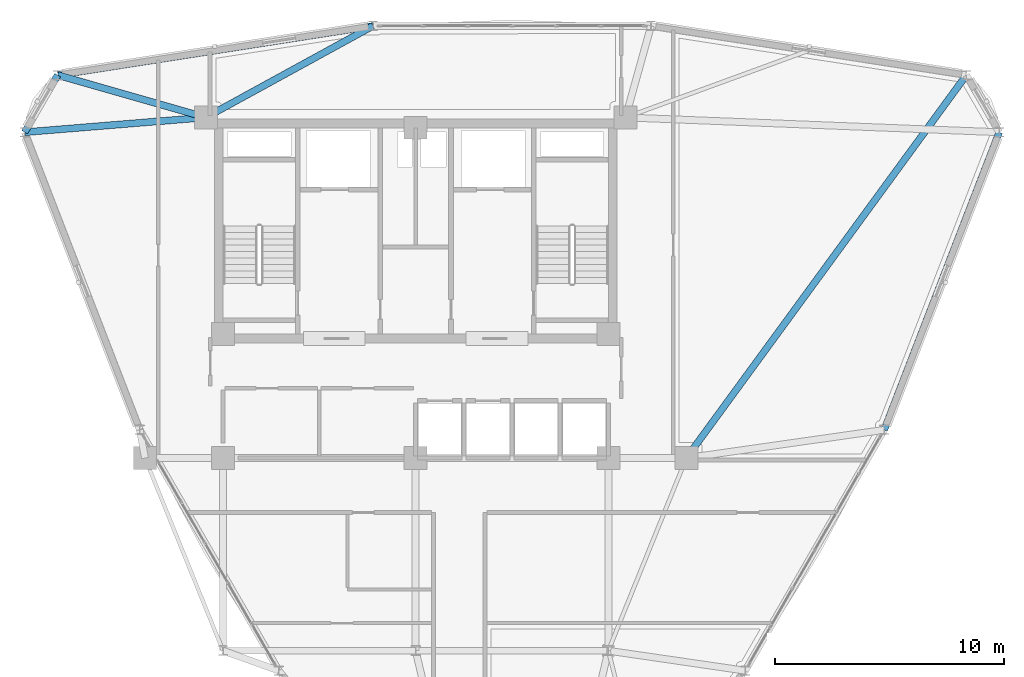
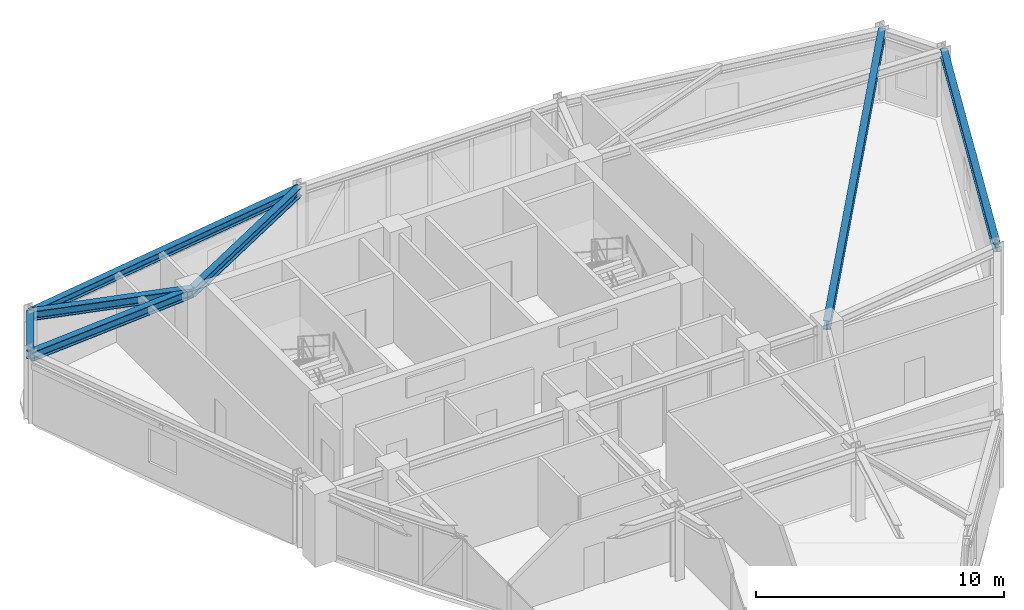
# One storey, part 8 of 16: 7 beams.
"""IFC4 building model written with IfcOpenShell, lengths in metres."""

from ifc_helpers import new_model, si_unit, derived_unit, direction, frame, origin, origin_2d, place, context, subcontext, project, spatial, i_section, extrude, source, transform, mapped, material, material_profile, profile_set, type_object, element, save


model = new_model("IFC4")

# Units and contexts
model_context = context("Model", 3, precision=1e-05, world=origin(), true_north=direction((0.0, 1.0)))
body_context = subcontext(model_context, "Body", "Model", "MODEL_VIEW")
ifc_project = project(units=[si_unit("LENGTHUNIT", "METRE"), si_unit("AREAUNIT", "SQUARE_METRE"), si_unit("VOLUMEUNIT", "CUBIC_METRE"), si_unit("PLANEANGLEUNIT", "RADIAN"), si_unit("MASSUNIT", "GRAM", prefix="KILO"), derived_unit("THERMALTRANSMITTANCEUNIT", [(si_unit("POWERUNIT", "WATT"), 1), (si_unit("LENGTHUNIT", "METRE"), -2), (si_unit("THERMODYNAMICTEMPERATUREUNIT", "KELVIN"), -1)])], contexts=[model_context])

# Site, building, storey
site_placement = place(None, origin())
site = spatial("IfcSite", under=ifc_project, at=site_placement, CompositionType="ELEMENT")
building_placement = place(site_placement, origin())
building = spatial("IfcBuilding", under=site, at=building_placement, Name="Korsvarv Bourse and Concert Hall", CompositionType="ELEMENT")
storey_placement = place(building_placement, frame((0.0, 0.0, 227.39990234375)))
storey = spatial("IfcBuildingStorey", under=building, at=storey_placement, Name="L59", CompositionType="ELEMENT", Elevation=227.39990234375)

# Beams
ifc_material = material(Name="Steel S355", Category="steel")
ifc_material_profile_1 = material_profile(ifc_material, i_section(OverallWidth=0.300048828125, OverallDepth=0.389892578125, WebThickness=0.010986328125, FlangeThickness=0.01904296875, FilletRadius=0.02099609375, at=origin_2d()), Name="HEA 400")
ifc_profile_set_1 = profile_set([ifc_material_profile_1], Name="Steel S355")
beam_type_1 = type_object("IfcBeamType", Name="BM-HEA400", PredefinedType="BEAM", material=ifc_profile_set_1)
shared_shape_1 = source(origin(), body_context, "Body", "SweptSolid", [
    extrude(i_section(OverallWidth=0.300048828125, OverallDepth=0.389892578125, WebThickness=0.010986328125, FlangeThickness=0.01904296875, FilletRadius=0.02099609375, at=origin_2d()), origin(), (0.0, 0.0, 1.0), 13.9130859375),
])
for number, where, z_axis, x_axis, name in (
    (1, (34.13818359375, 51.2412109375, 3.215087890625), (-0.988060495493, -0.154066405314, 0.0), (0.154066405314, -0.988060495493, 0.0), "L59 beam B-11"),
    (2, (56.43017578125, 33.629150390625, 3.215087890625), (0.360601228737, 0.932720083323, 0.0), (-0.932720083323, 0.360601228737, 0.0), "L59 beam B-11"),
):
    element("IfcBeam", number, at=place(storey_placement, frame(where, z_axis=z_axis, x_axis=x_axis)), inside=storey, type_object=beam_type_1, Name=name, PredefinedType="BEAM", context=body_context, shape_type="MappedRepresentation", body=[
        mapped(shared_shape_1, transform((0.0, 0.0, 0.0), scale=1.0)),
    ])
shared_shape_2 = source(origin(), body_context, "Body", "SweptSolid", [
    extrude(i_section(OverallWidth=0.300048828125, OverallDepth=0.389892578125, WebThickness=0.010986328125, FlangeThickness=0.01904296875, FilletRadius=0.02099609375, at=origin_2d()), origin(), (0.0, 0.0, 1.0), 2.876953125),
])
beam_1_placement = place(storey_placement, frame((20.39111328125, 49.09765625, 3.215087890625), z_axis=(-0.500008942529, -0.866020240751, 0.0), x_axis=(0.866020240751, -0.500008942529, 0.0)))
element("IfcBeam", 3, at=beam_1_placement, inside=storey, type_object=beam_type_1, Name="L59 beam B-11", PredefinedType="BEAM", context=body_context, shape_type="MappedRepresentation", body=[
    mapped(shared_shape_2, transform((0.0, 0.0, 0.0), scale=1.0)),
])
ifc_material_profile_2 = material_profile(ifc_material, i_section(OverallWidth=0.300048828125, OverallDepth=0.449951171875, WebThickness=0.013916015625, FlangeThickness=0.02587890625, FilletRadius=0.02099609375, at=origin_2d()), Name="HEB 450")
ifc_profile_set_2 = profile_set([ifc_material_profile_2], Name="Steel S355")
beam_type_2 = type_object("IfcBeamType", Name="BM-HEB450", PredefinedType="SPANDREL", material=ifc_profile_set_2)
shared_shape_3 = source(origin(), body_context, "Body", "SweptSolid", [
    extrude(i_section(OverallWidth=0.300048828125, OverallDepth=0.449951171875, WebThickness=0.013916015625, FlangeThickness=0.02587890625, FilletRadius=0.02099609375, at=origin_2d()), origin(), (0.0, 0.0, 1.0), 20.68505859375),
])
beam_2_placement = place(storey_placement, frame((60.009033203125, 49.09765625, 3.18505859375), z_axis=(-0.590230224022, -0.807234961242, 0.0), x_axis=(0.807234961242, -0.590230224022, 0.0)))
element("IfcBeam", 4, at=beam_2_placement, inside=storey, type_object=beam_type_2, Name="L59 beam B-08", PredefinedType="SPANDREL", context=body_context, shape_type="MappedRepresentation", body=[
    mapped(shared_shape_3, transform((0.0, 0.0, 0.0), scale=1.0)),
])
shared_shape_4 = source(origin(), body_context, "Body", "SweptSolid", [
    extrude(i_section(OverallWidth=0.300048828125, OverallDepth=0.449951171875, WebThickness=0.013916015625, FlangeThickness=0.02587890625, FilletRadius=0.02099609375, at=origin_2d()), origin(), (0.0, 0.0, 1.0), 8.309326171875),
])
beam_3_placement = place(storey_placement, frame((34.13818359375, 51.2412109375, 3.18505859375), z_axis=(-0.877090373578, -0.480325386147, 0.0), x_axis=(0.480325386147, -0.877090373578, 0.0)))
element("IfcBeam", 5, at=beam_3_placement, inside=storey, type_object=beam_type_2, Name="L59 beam B-08", PredefinedType="SPANDREL", context=body_context, shape_type="MappedRepresentation", body=[
    mapped(shared_shape_4, transform((0.0, 0.0, 0.0), scale=1.0)),
])
shared_shape_5 = source(origin(), body_context, "Body", "SweptSolid", [
    extrude(i_section(OverallWidth=0.300048828125, OverallDepth=0.449951171875, WebThickness=0.013916015625, FlangeThickness=0.02587890625, FilletRadius=0.02099609375, at=origin_2d()), origin(), (0.0, 0.0, 1.0), 6.718017578125),
])
beam_4_placement = place(storey_placement, frame((20.39111328125, 49.09765625, 3.18505859375), z_axis=(0.961436131753, -0.275028297744, 0.0), x_axis=(0.275028297744, 0.961436131753, 0.0)))
element("IfcBeam", 6, at=beam_4_placement, inside=storey, type_object=beam_type_2, Name="L59 beam B-08", PredefinedType="SPANDREL", context=body_context, shape_type="MappedRepresentation", body=[
    mapped(shared_shape_5, transform((0.0, 0.0, 0.0), scale=1.0)),
])
shared_shape_6 = source(origin(), body_context, "Body", "SweptSolid", [
    extrude(i_section(OverallWidth=0.300048828125, OverallDepth=0.449951171875, WebThickness=0.013916015625, FlangeThickness=0.02587890625, FilletRadius=0.02099609375, at=origin_2d()), origin(), (0.0, 0.0, 1.0), 7.923583984375),
])
beam_5_placement = place(storey_placement, frame((18.95263671875, 46.606201171875, 3.18505859375), z_axis=(0.996693737026, 0.08125019737, 0.0), x_axis=(-0.08125019737, 0.996693737026, 0.0)))
element("IfcBeam", 7, at=beam_5_placement, inside=storey, type_object=beam_type_2, Name="L59 beam B-08", PredefinedType="SPANDREL", context=body_context, shape_type="MappedRepresentation", body=[
    mapped(shared_shape_6, transform((0.0, 0.0, 0.0), scale=1.0)),
])

save(model, "model.ifc")
